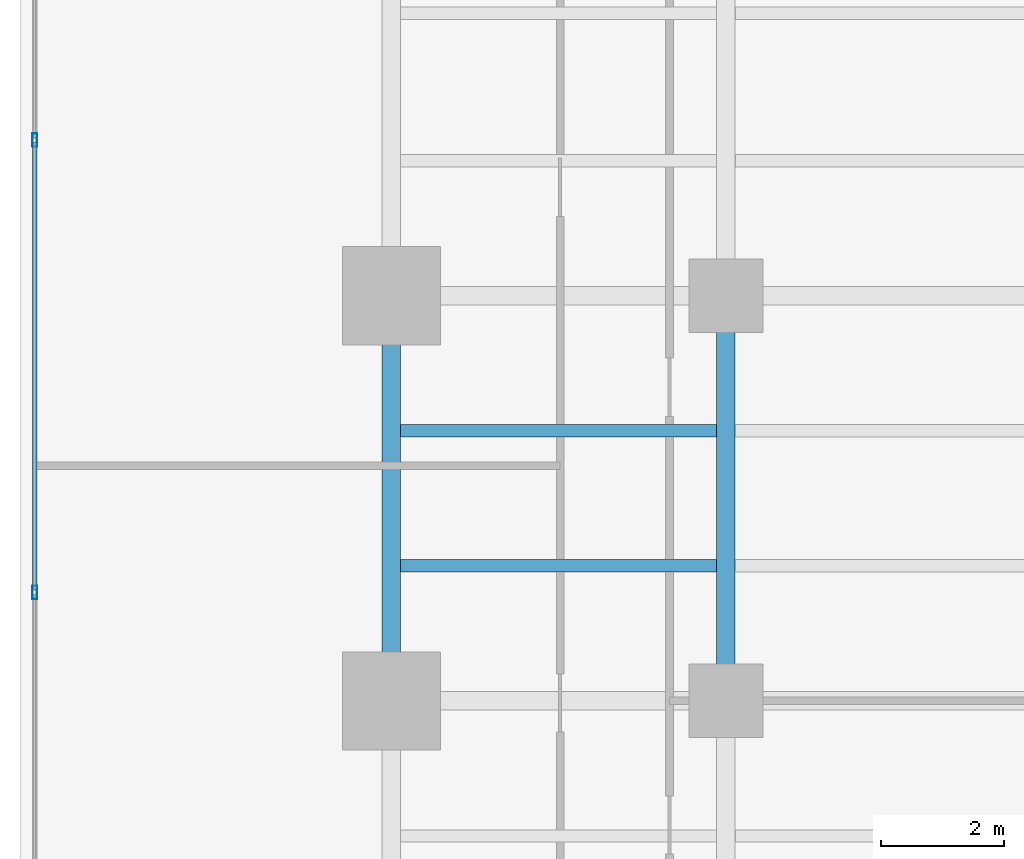
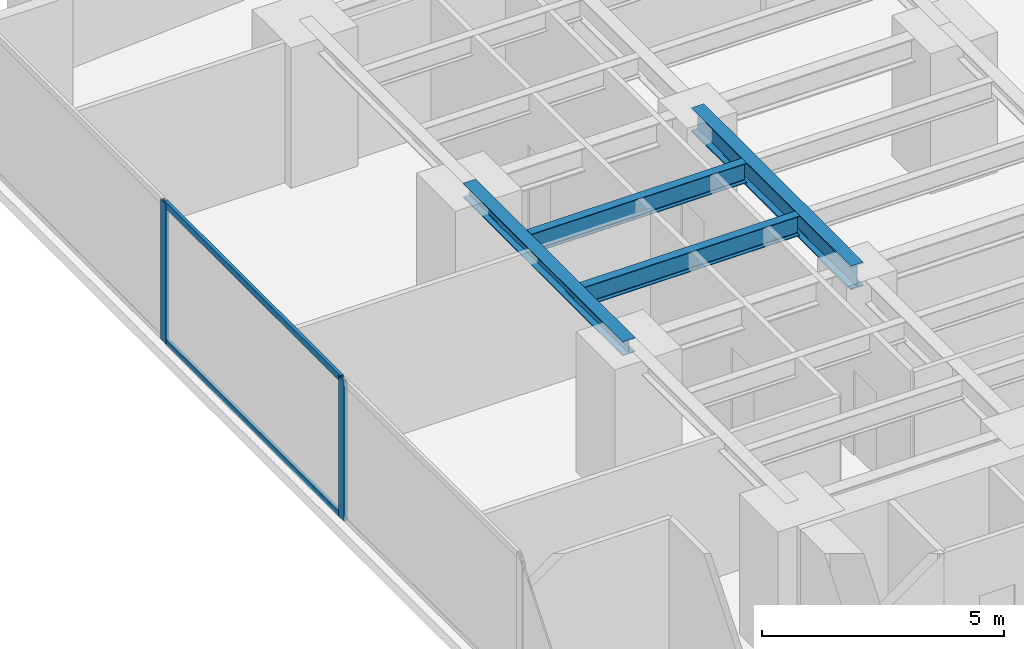
# One storey, part 15 of 28: 4 beams, 4 members, 1 element without a shape of its own.
"""IFC4 building model written with IfcOpenShell, lengths in metres."""

from ifc_helpers import new_model, si_unit, direction, frame, origin, origin_with_axes, origin_2d, place, context, subcontext, project, spatial, hollow_rectangle, i_section, extrude, source, transform, mapped, material, layer, layer_set, material_profile, profile_set, type_object, element, aggregate, save


model = new_model("IFC4")

# Units and contexts
model_context = context("Model", 3, precision=1e-05, world=origin(), true_north=direction((0.0, 1.0)))
body_context = subcontext(model_context, "Body", "Model", "MODEL_VIEW")
ifc_project = project(units=[si_unit("LENGTHUNIT", "METRE"), si_unit("AREAUNIT", "SQUARE_METRE"), si_unit("VOLUMEUNIT", "CUBIC_METRE"), si_unit("PLANEANGLEUNIT", "RADIAN"), si_unit("MASSUNIT", "GRAM", prefix="KILO")], contexts=[model_context])

# Site, building, storey
site_placement = place(None, origin())
site = spatial("IfcSite", under=ifc_project, at=site_placement, CompositionType="ELEMENT")
building_placement = place(site_placement, origin())
building = spatial("IfcBuilding", under=site, at=building_placement, Name="Kolvaren Waterfront Exchange", CompositionType="ELEMENT")
storey_placement = place(building_placement, frame((0.0, 0.0, 41.0)))
storey = spatial("IfcBuildingStorey", under=building, at=storey_placement, Name="L10", CompositionType="ELEMENT", Elevation=41.0)

# Beams
ifc_material_1 = material(Name="Steel S355", Category="steel")
ifc_material_profile_1 = material_profile(ifc_material_1, i_section(OverallWidth=0.300048828125, OverallDepth=0.360107421875, WebThickness=0.012451171875, FlangeThickness=0.0224609375, FilletRadius=0.027099609375, at=origin_2d()), Name="HEB360")
ifc_profile_set_1 = profile_set([ifc_material_profile_1], Name="Steel S355")
beam_type_1 = type_object("IfcBeamType", Name="STR-BM-HEB360", PredefinedType="SPANDREL", material=ifc_profile_set_1)
beam_1_placement = place(storey_placement, frame((7.449951171875, 31.199951171875, 3.360107421875), z_axis=(0.0, 1.0, 0.0), x_axis=(-1.0, 0.0, 0.0)))
element("IfcBeam", 1, at=beam_1_placement, inside=storey, type_object=beam_type_1, Name="L10 north-arm edge beam 2", PredefinedType="SPANDREL", context=body_context, shape_type="SweptSolid", body=[
    extrude(i_section(OverallWidth=0.300048828125, OverallDepth=0.360107421875, WebThickness=0.012451171875, FlangeThickness=0.0224609375, FilletRadius=0.027099609375, at=origin_2d()), origin(), (0.0, 0.0, 1.0), 6.60009765625),
])
ifc_material_profile_2 = material_profile(ifc_material_1, i_section(OverallWidth=0.300048828125, OverallDepth=0.60009765625, WebThickness=0.015380859375, FlangeThickness=0.030029296875, FilletRadius=0.027099609375, at=origin_2d()), Name="HEB600")
ifc_profile_set_2 = profile_set([ifc_material_profile_2], Name="Steel S355")
beam_type_2 = type_object("IfcBeamType", Name="STR-BM-HEB600", PredefinedType="BEAM", material=ifc_profile_set_2)
beam_2_placement = place(storey_placement, frame((12.89990234375, 31.199951171875, 3.239990234375), z_axis=(0.0, 1.0, 0.0), x_axis=(-1.0, 0.0, 0.0)))
element("IfcBeam", 2, at=beam_2_placement, inside=storey, type_object=beam_type_2, Name="L10 north-arm edge beam 2", PredefinedType="BEAM", context=body_context, shape_type="SweptSolid", body=[
    extrude(i_section(OverallWidth=0.300048828125, OverallDepth=0.60009765625, WebThickness=0.015380859375, FlangeThickness=0.030029296875, FilletRadius=0.027099609375, at=origin_2d()), origin(), (0.0, 0.0, 1.0), 6.60009765625),
])
ifc_material_profile_3 = material_profile(ifc_material_1, i_section(OverallWidth=0.199951171875, OverallDepth=0.5, WebThickness=0.01025390625, FlangeThickness=0.01611328125, FilletRadius=0.02099609375, at=origin_2d()), Name="IPE500")
ifc_profile_set_3 = profile_set([ifc_material_profile_3], Name="Steel S355")
beam_type_3 = type_object("IfcBeamType", Name="STR-BM-IPE500", PredefinedType="JOIST", material=ifc_profile_set_3)
for number, where, z_axis, x_axis, name in (
    (3, (7.60205078125, 33.39990234375, 3.2900390625), (1.0, 0.0, 0.0), (0.0, 1.0, 0.0), "L10 north-arm composite joist 3A"),
    (4, (7.60205078125, 35.60009765625, 3.2900390625), (1.0, 0.0, 0.0), (0.0, 1.0, 0.0), "L10 north-arm composite joist 4A"),
):
    element("IfcBeam", number, at=place(storey_placement, frame(where, z_axis=z_axis, x_axis=x_axis)), inside=storey, type_object=beam_type_3, Name=name, PredefinedType="JOIST", context=body_context, shape_type="SweptSolid", body=[
        extrude(i_section(OverallWidth=0.199951171875, OverallDepth=0.5, WebThickness=0.01025390625, FlangeThickness=0.01611328125, FilletRadius=0.02099609375, at=origin_2d()), origin(), (0.0, 0.0, 1.0), 5.14599609375),
    ])

# Curtain wall, members
ifc_material_2 = material(Name="Anodised aluminium 6063-T6", Category="aluminium")
ifc_layer = layer(ifc_material_2, 0.219970703125, Name="Anodised aluminium 6063-T6")
ifc_layer_set = layer_set([ifc_layer], Name="Anodised aluminium 6063-T6")
curtain_wall_type = type_object("IfcCurtainWallType", Name="ARC-CW-SYS2", PredefinedType="USERDEFINED", material=ifc_layer_set)
curtain_wall_placement = place(storey_placement, origin())
curtain_wall = element("IfcCurtainWall", 5, at=curtain_wall_placement, inside=storey, type_object=curtain_wall_type, Name="L10 stick curtain wall CW2 (CW-L10-W)", ObjectType="STICK CURTAIN WALL", PredefinedType="USERDEFINED")
ifc_material_profile_4 = material_profile(ifc_material_2, hollow_rectangle(XDim=0.074951171875, YDim=0.159912109375, WallThickness=0.00439453125, at=origin_2d()), Name="ALU-TRN-160x75x4.5")
ifc_profile_set_4 = profile_set([ifc_material_profile_4], Name="Anodised aluminium 6063-T6")
member_type_1 = type_object("IfcMemberType", Name="ARC-CWT-160", PredefinedType="USERDEFINED", material=ifc_profile_set_4)
shared_shape_1 = source(origin_with_axes(), body_context, "Body", "SweptSolid", [
    extrude(hollow_rectangle(XDim=0.074951171875, YDim=0.159912109375, WallThickness=0.00439453125, at=origin_2d()), origin(), (0.0, 0.0, 1.0), 7.28662109375),
])
member_1_placement = place(storey_placement, frame((1.639892578125, 33.006591796875, 0.03759765625), z_axis=(0.0, 1.0, 0.0), x_axis=(-1.0, 0.0, 0.0)))
member_1 = element("IfcMember", 6, at=member_1_placement, type_object=member_type_1, Name="CW2 transom 5.1", ObjectType="TRANSOM", PredefinedType="USERDEFINED", context=body_context, shape_type="MappedRepresentation", body=[
    mapped(shared_shape_1, transform((0.0, 0.0, 0.0), x_axis=(1.0, 0.0, 0.0), y_axis=(0.0, 1.0, 0.0), z_axis=(0.0, 0.0, 1.0), scale=1.0)),
])
member_2_placement = place(storey_placement, frame((1.639892578125, 33.006591796875, 3.50244140625), z_axis=(0.0, 1.0, 0.0), x_axis=(-1.0, 0.0, 0.0)))
member_2 = element("IfcMember", 7, at=member_2_placement, type_object=member_type_1, Name="CW2 transom 5.2", ObjectType="TRANSOM", PredefinedType="USERDEFINED", context=body_context, shape_type="MappedRepresentation", body=[
    mapped(shared_shape_1, transform((0.0, 0.0, 0.0), x_axis=(1.0, 0.0, 0.0), y_axis=(0.0, 1.0, 0.0), z_axis=(0.0, 0.0, 1.0), scale=1.0)),
])
ifc_material_profile_5 = material_profile(ifc_material_2, hollow_rectangle(XDim=0.080078125, YDim=0.219970703125, WallThickness=0.0048828125, at=origin_2d()), Name="ALU-MUL-220x80x5")
ifc_profile_set_5 = profile_set([ifc_material_profile_5], Name="Anodised aluminium 6063-T6")
member_type_2 = type_object("IfcMemberType", Name="ARC-CWM-220", PredefinedType="MULLION", material=ifc_profile_set_5)
shared_shape_2 = source(origin_with_axes(), body_context, "Body", "SweptSolid", [
    extrude(hollow_rectangle(XDim=0.080078125, YDim=0.219970703125, WallThickness=0.0048828125, at=origin_2d()), origin(), (0.0, 0.0, 1.0), 3.5400390625),
])
member_3_placement = place(storey_placement, frame((1.639892578125, 32.966552734375, 0.0), z_axis=(0.0, 0.0, 1.0), x_axis=(-1.0, 0.0, 0.0)))
member_3 = element("IfcMember", 8, at=member_3_placement, type_object=member_type_2, Name="CW2 mullion 5", PredefinedType="MULLION", context=body_context, shape_type="MappedRepresentation", body=[
    mapped(shared_shape_2, transform((0.0, 0.0, 0.0), x_axis=(1.0, 0.0, 0.0), y_axis=(0.0, 1.0, 0.0), z_axis=(0.0, 0.0, 1.0), scale=1.0)),
])
member_4_placement = place(storey_placement, frame((1.639892578125, 40.333251953125, 0.0), z_axis=(0.0, 0.0, 1.0), x_axis=(-1.0, 0.0, 0.0)))
member_4 = element("IfcMember", 9, at=member_4_placement, type_object=member_type_2, Name="CW2 mullion 6", PredefinedType="MULLION", context=body_context, shape_type="MappedRepresentation", body=[
    mapped(shared_shape_2, transform((0.0, 0.0, 0.0), x_axis=(1.0, 0.0, 0.0), y_axis=(0.0, 1.0, 0.0), z_axis=(0.0, 0.0, 1.0), scale=1.0)),
])
aggregate(curtain_wall, [member_3, member_4, member_1, member_2])

save(model, "model.ifc")
